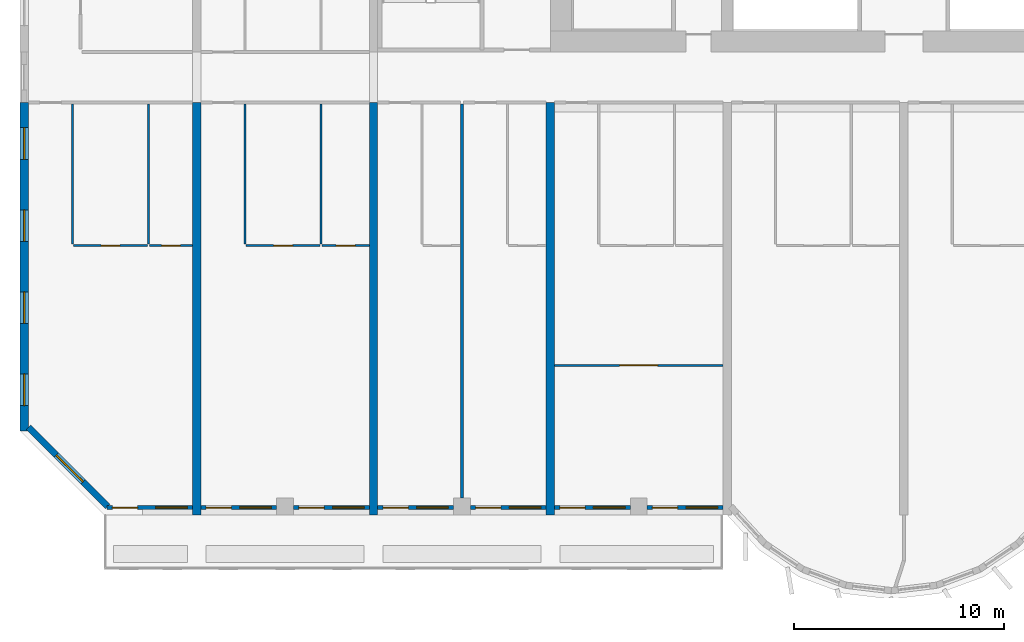
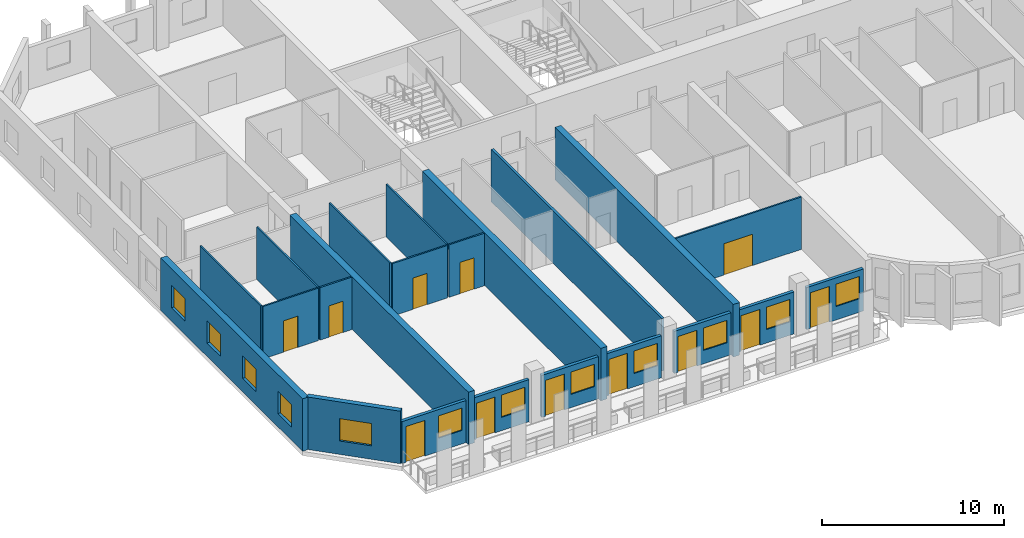
# One storey, part 2 of 15: 22 walls, 12 doors, 12 windows, 24 openings.
"""IFC4 building model written with IfcOpenShell, lengths in metres."""

import ifcopenshell
import ifcopenshell.guid

model = None  # the IFC model being written
_history = None  # IfcOwnerHistory: only IFC2X3 demands one
_inside = {}  # id of a spatial element -> (the spatial element, [elements in it])
_under = {}  # id of a project, library or spatial element -> (it, [spatial elements below it])
_declared = {}  # id of a project -> (the project, [libraries it declares])
_typed = {}  # id of a type object -> (the type object, [elements of that type])
_made_of = {}  # id of a material, layer set ... -> (it, [elements and type objects made of it])


def new_model(schema):
    """Start an empty IFC model of exactly this schema.

    Asked for "IFC4X3", IfcOpenShell would pick the latest addendum, in which some entities
    have other attributes; the version numbers below select the first issue.
    IFC2X3 requires an IfcOwnerHistory on every rooted entity: one is made here for all.
    """
    global model, _history
    if schema == "IFC4X3":
        model = ifcopenshell.file(schema_version=(4, 3, 0, 0))
    else:
        model = ifcopenshell.file(schema=schema)
    _inside.clear()
    _under.clear()
    _declared.clear()
    _typed.clear()
    _made_of.clear()
    _history = None
    if model.schema == "IFC2X3":
        org = make("IfcOrganization", Name="unknown")
        user = make(
            "IfcPersonAndOrganization",
            ThePerson=make("IfcPerson", FamilyName="unknown"),
            TheOrganization=org,
        )
        app = make(
            "IfcApplication",
            ApplicationDeveloper=org,
            Version="unknown",
            ApplicationFullName="unknown",
            ApplicationIdentifier="unknown",
        )
        _history = make(
            "IfcOwnerHistory",
            OwningUser=user,
            OwningApplication=app,
            ChangeAction="ADDED",
            CreationDate=0,
        )
    return model


def make(cls, **values):
    """One entity of the class cls with the attributes given. An attribute that is None is left unset."""
    return model.create_entity(
        cls, **{name: value for name, value in values.items() if value is not None}
    )


def rooted(cls, **values):
    """An entity with a GlobalId (a new one), such as an element, a storey or a relation."""
    return make(cls, GlobalId=ifcopenshell.guid.new(), OwnerHistory=_history, **values)


def si_unit(unit_type, name, prefix=None):
    """IfcSIUnit, for example si_unit("LENGTHUNIT", "METRE", prefix="MILLI")."""
    return make("IfcSIUnit", UnitType=unit_type, Prefix=prefix, Name=name)


def assignment(units):
    """IfcUnitAssignment: the units of a project."""
    return None if units is None else make("IfcUnitAssignment", Units=units)


def point(xyz):
    """IfcCartesianPoint."""
    return None if xyz is None else make("IfcCartesianPoint", Coordinates=xyz)


def direction(xyz):
    """IfcDirection."""
    return None if xyz is None else make("IfcDirection", DirectionRatios=xyz)


def frame(location, z_axis=None, x_axis=None):
    """IfcAxis2Placement3D, a coordinate frame: its origin and axes. An axis left out is left unset."""
    return make(
        "IfcAxis2Placement3D",
        Location=point(location),
        Axis=direction(z_axis),
        RefDirection=direction(x_axis),
    )


def frame_2d(location, x_axis=None):
    """IfcAxis2Placement2D, a coordinate frame in the plane: its origin and x axis."""
    return make(
        "IfcAxis2Placement2D", Location=point(location), RefDirection=direction(x_axis)
    )


def origin():
    """The frame at (0, 0, 0) with its axes left unset."""
    return frame((0.0, 0.0, 0.0))


def place(relative_to, where):
    """IfcLocalPlacement: puts the frame where relative to a parent placement (None: the world)."""
    return make(
        "IfcLocalPlacement", PlacementRelTo=relative_to, RelativePlacement=where
    )


def context(
    kind, dimensions, precision=None, world=None, true_north=None, identifier=None
):
    """IfcGeometricRepresentationContext, for example the 3D "Model" context."""
    return make(
        "IfcGeometricRepresentationContext",
        ContextIdentifier=identifier,
        ContextType=kind,
        CoordinateSpaceDimension=dimensions,
        Precision=precision,
        WorldCoordinateSystem=world,
        TrueNorth=true_north,
    )


def subcontext(parent, identifier, kind, view, scale=None):
    """IfcGeometricRepresentationSubContext, for example "Body" below "Model"."""
    return make(
        "IfcGeometricRepresentationSubContext",
        ContextIdentifier=identifier,
        ContextType=kind,
        ParentContext=parent,
        TargetScale=scale,
        TargetView=view,
    )


def project(units=None, contexts=None):
    """IfcProject with its units and contexts."""
    return rooted(
        "IfcProject",
        Name="project",
        RepresentationContexts=contexts,
        UnitsInContext=assignment(units),
    )


def spatial(cls, under=None, at=None, **own):
    """A site, building, storey or space (cls), placed at a placement, below another one or the project."""
    s = rooted(cls, ObjectPlacement=at, **own)
    if under is not None:
        _under.setdefault(under.id(), (under, []))[1].append(s)
    return s


def profile(cls, at=None, kind="AREA", **sizes):
    """A parametric profile (cls). Its sizes go by their IFC names, for example OverallWidth=200.0."""
    return make(cls, ProfileType=kind, Position=at, **sizes)


def rectangle(**sizes):
    """IfcRectangleProfileDef."""
    return profile("IfcRectangleProfileDef", **sizes)


def extrude(swept, where, along, depth):
    """IfcExtrudedAreaSolid: the profile swept, set in the frame where, extruded along a direction by depth."""
    return make(
        "IfcExtrudedAreaSolid",
        SweptArea=swept,
        Position=where,
        ExtrudedDirection=direction(along),
        Depth=depth,
    )


def shape(context_of_items, identifier, shape_type, items):
    """IfcShapeRepresentation: the items that make up one representation, for example the "Body"."""
    return make(
        "IfcShapeRepresentation",
        ContextOfItems=context_of_items,
        RepresentationIdentifier=identifier,
        RepresentationType=shape_type,
        Items=items,
    )


def source(mapping_origin, context_of_items, identifier, shape_type, items):
    """IfcRepresentationMap: a shape defined once, which mapped items show again and again."""
    return make(
        "IfcRepresentationMap",
        MappingOrigin=mapping_origin,
        MappedRepresentation=shape(context_of_items, identifier, shape_type, items),
    )


def transform(
    local_origin,
    x_axis=None,
    y_axis=None,
    z_axis=None,
    scale=None,
    scale2=None,
    scale3=None,
    uniform=True,
):
    """IfcCartesianTransformationOperator3D, or its non-uniform kind. x_axis, y_axis, z_axis: its Axis1, 2, 3."""
    if uniform:
        return make(
            "IfcCartesianTransformationOperator3D",
            Axis1=direction(x_axis),
            Axis2=direction(y_axis),
            LocalOrigin=point(local_origin),
            Scale=scale,
            Axis3=direction(z_axis),
        )
    return make(
        "IfcCartesianTransformationOperator3DnonUniform",
        Axis1=direction(x_axis),
        Axis2=direction(y_axis),
        LocalOrigin=point(local_origin),
        Scale=scale,
        Axis3=direction(z_axis),
        Scale2=scale2,
        Scale3=scale3,
    )


def mapped(mapping_source, mapping_target):
    """IfcMappedItem: shows the shape of a source again, moved by a transform."""
    return make(
        "IfcMappedItem", MappingSource=mapping_source, MappingTarget=mapping_target
    )


def material(Name=None, Category=None):
    """IfcMaterial."""
    return make("IfcMaterial", Name=Name, Category=Category)


def layer(
    of_material, thickness, ventilated=None, Name=None, Category=None, Priority=None
):
    """IfcMaterialLayer: one layer of a wall or slab, of a material (None: an air gap)."""
    return make(
        "IfcMaterialLayer",
        Material=of_material,
        LayerThickness=thickness,
        IsVentilated=ventilated,
        Name=Name,
        Category=Category,
        Priority=Priority,
    )


def layer_set(layers, Name=None):
    """IfcMaterialLayerSet."""
    return make("IfcMaterialLayerSet", MaterialLayers=layers, LayerSetName=Name)


def made_of(thing, what):
    """Note that an element or type object is made of a material, layer set ...; save() writes the relation."""
    if what is not None:
        _made_of.setdefault(what.id(), (what, []))[1].append(thing)
    return thing


def type_object(cls, material=None, **own):
    """A type object (cls), such as IfcWallType, which elements share."""
    return made_of(rooted(cls, **own), material)


def element(
    cls,
    number,
    at=None,
    inside=None,
    cuts=None,
    type_object=None,
    material=None,
    context=None,
    identifier="Body",
    shape_type=None,
    held_by="IfcProductDefinitionShape",
    body=None,
    shapes=None,
    **own,
):
    """One element of the class cls, such as IfcWall. Its Tag is "e" and its number.

    at: its placement. inside: the storey or other place that contains it. cuts: it is an
    opening in that element (IfcRelVoidsElement). A single representation is given by context,
    identifier, shape_type and body (its items); several are given by shapes. held_by: the class
    of the entity that holds the representations. save() writes the other relations.
    """
    e = rooted(cls, Tag="e%d" % number, ObjectPlacement=at, **own)
    if body is not None:
        shapes = [shape(context, identifier, shape_type, body)]
    if shapes is not None:
        e.Representation = make(held_by, Representations=shapes)
    if inside is not None:
        _inside.setdefault(inside.id(), (inside, []))[1].append(e)
    if cuts is not None:
        rooted(
            "IfcRelVoidsElement", RelatingBuildingElement=cuts, RelatedOpeningElement=e
        )
    if type_object is not None:
        _typed.setdefault(type_object.id(), (type_object, []))[1].append(e)
    return made_of(e, material)


def fill(opening, filler):
    """IfcRelFillsElement: the door or window that sits in an opening."""
    return rooted(
        "IfcRelFillsElement",
        RelatingOpeningElement=opening,
        RelatedBuildingElement=filler,
    )


def aggregate(whole, parts):
    """IfcRelAggregates: a whole, such as a stair, and the parts it consists of."""
    return rooted("IfcRelAggregates", RelatingObject=whole, RelatedObjects=parts)


def save(model, path):
    """Write the relations noted so far, then the file.

    IfcRelAggregates (storeys below a building ...), IfcRelContainedInSpatialStructure (elements
    in a storey), IfcRelDefinesByType, IfcRelAssociatesMaterial and IfcRelDeclares: one each for
    every whole, place, type object, material and project.
    """
    for whole, parts in _under.values():
        aggregate(whole, parts)
    for where, things in _inside.values():
        rooted(
            "IfcRelContainedInSpatialStructure",
            RelatedElements=things,
            RelatingStructure=where,
        )
    for kind, things in _typed.values():
        rooted("IfcRelDefinesByType", RelatedObjects=things, RelatingType=kind)
    for what, things in _made_of.values():
        rooted("IfcRelAssociatesMaterial", RelatedObjects=things, RelatingMaterial=what)
    for by, libraries in _declared.values():
        rooted("IfcRelDeclares", RelatingContext=by, RelatedDefinitions=libraries)
    model.write(path)


model = new_model("IFC4")

# Units and contexts
model_context = context("Model", 3, precision=1e-05, world=origin(), true_north=direction((0.0, 1.0)))
body_context = subcontext(model_context, "Body", "Model", "MODEL_VIEW")
ifc_project = project(units=[si_unit("LENGTHUNIT", "METRE"), si_unit("AREAUNIT", "SQUARE_METRE"), si_unit("VOLUMEUNIT", "CUBIC_METRE"), si_unit("PLANEANGLEUNIT", "RADIAN"), si_unit("MASSUNIT", "GRAM", prefix="KILO")], contexts=[model_context])

# Site, building, storey
site_placement = place(None, origin())
site = spatial("IfcSite", under=ifc_project, at=site_placement, CompositionType="ELEMENT")
building_placement = place(site_placement, origin())
building = spatial("IfcBuilding", under=site, at=building_placement, Name="Vanashikhar Sky Hotel", CompositionType="ELEMENT")
storey_placement = place(building_placement, frame((0.0, 0.0, 69.60009765625)))
storey = spatial("IfcBuildingStorey", under=building, at=storey_placement, Name="L16", CompositionType="ELEMENT", Elevation=69.60009765625)

# Wall, openings, windows
ifc_material_1 = material(Name="Concrete M80", Category="concrete")
ifc_layer_1 = layer(ifc_material_1, 0.39990234375)
ifc_layer_set_1 = layer_set([ifc_layer_1], Name="RC shear wall 400 Concrete M80")
wall_type_1 = type_object("IfcWallType", Name="RC shear wall 400 Concrete M80", PredefinedType="SHEAR", material=ifc_layer_set_1)
shared_shape_1 = source(origin(), body_context, "Body", "SweptSolid", [
    extrude(rectangle(XDim=15.60009765625, YDim=0.39990234375, at=frame_2d((7.800048828125, 0.0))), origin(), (0.0, 0.0, 1.0), 3.52001953125),
])
wall_1_placement = place(storey_placement, frame((0.199951171875, 4.0, 0.0), z_axis=(0.0, 0.0, 1.0), x_axis=(0.0, 1.0, 0.0)))
wall_1 = element("IfcWall", 1, at=wall_1_placement, inside=storey, type_object=wall_type_1, Name="CW-L16-XW01-1", PredefinedType="SHEAR", context=body_context, shape_type="MappedRepresentation", body=[
    mapped(shared_shape_1, transform((0.0, 0.0, 0.0), scale=1.0)),
])
shared_shape_2 = source(origin(), body_context, "Body", "SweptSolid", [
    extrude(rectangle(XDim=1.5, YDim=1.5, at=frame_2d((0.75, 0.75))), frame((0.0, 0.2099609375, 0.0), z_axis=(0.0, -1.0, 0.0), x_axis=(1.0, 0.0, 0.0)), (0.0, 0.0, 1.0), 0.419921875),
])
opening_1_placement = place(wall_1_placement, frame((1.199951171875, 0.0, 0.89990234375)))
opening_1 = element("IfcOpeningElement", 2, at=opening_1_placement, cuts=wall_1, Name="Opening WN-1", PredefinedType="OPENING", context=body_context, shape_type="MappedRepresentation", body=[
    mapped(shared_shape_2, transform((0.0, 0.0, 0.0), scale=1.0)),
])
opening_2_placement = place(wall_1_placement, frame((5.10009765625, 0.0, 0.89990234375)))
opening_2 = element("IfcOpeningElement", 3, at=opening_2_placement, cuts=wall_1, Name="Opening WN-1", PredefinedType="OPENING", context=body_context, shape_type="MappedRepresentation", body=[
    mapped(shared_shape_2, transform((0.0, 0.0, 0.0), scale=1.0)),
])
opening_3_placement = place(wall_1_placement, frame((9.0, 0.0, 0.89990234375)))
opening_3 = element("IfcOpeningElement", 4, at=opening_3_placement, cuts=wall_1, Name="Opening WN-1", PredefinedType="OPENING", context=body_context, shape_type="MappedRepresentation", body=[
    mapped(shared_shape_2, transform((0.0, 0.0, 0.0), scale=1.0)),
])
opening_4_placement = place(wall_1_placement, frame((12.89990234375, 0.0, 0.89990234375)))
opening_4 = element("IfcOpeningElement", 5, at=opening_4_placement, cuts=wall_1, Name="Opening WN-1", PredefinedType="OPENING", context=body_context, shape_type="MappedRepresentation", body=[
    mapped(shared_shape_2, transform((0.0, 0.0, 0.0), scale=1.0)),
])
ifc_material_2 = material(Name="Glass", Category="glass")
window_type_1 = type_object("IfcWindowType", Name="Window 1500 x 1500", PartitioningType="SINGLE_PANEL", PredefinedType="WINDOW", material=ifc_material_2)
shared_shape_3 = source(origin(), body_context, "Body", "SweptSolid", [
    extrude(rectangle(XDim=1.5, YDim=1.5, at=frame_2d((0.75, 0.75))), frame((0.0, 0.030029296875, 0.0), z_axis=(0.0, -1.0, 0.0), x_axis=(1.0, 0.0, 0.0)), (0.0, 0.0, 1.0), 0.06005859375),
])
window_1_placement = place(opening_1_placement, origin())
window_1 = element("IfcWindow", 6, at=window_1_placement, inside=storey, type_object=window_type_1, Name="Window WN-1", OverallHeight=1.5, OverallWidth=1.5, PartitioningType="SINGLE_PANEL", PredefinedType="WINDOW", context=body_context, shape_type="MappedRepresentation", body=[
    mapped(shared_shape_3, transform((0.0, 0.0, 0.0), scale=1.0)),
])
fill(opening_1, window_1)
window_2_placement = place(opening_2_placement, origin())
window_2 = element("IfcWindow", 7, at=window_2_placement, inside=storey, type_object=window_type_1, Name="Window WN-1", OverallHeight=1.5, OverallWidth=1.5, PartitioningType="SINGLE_PANEL", PredefinedType="WINDOW", context=body_context, shape_type="MappedRepresentation", body=[
    mapped(shared_shape_3, transform((0.0, 0.0, 0.0), scale=1.0)),
])
fill(opening_2, window_2)
window_3_placement = place(opening_3_placement, origin())
window_3 = element("IfcWindow", 8, at=window_3_placement, inside=storey, type_object=window_type_1, Name="Window WN-1", OverallHeight=1.5, OverallWidth=1.5, PartitioningType="SINGLE_PANEL", PredefinedType="WINDOW", context=body_context, shape_type="MappedRepresentation", body=[
    mapped(shared_shape_3, transform((0.0, 0.0, 0.0), scale=1.0)),
])
fill(opening_3, window_3)
window_4_placement = place(opening_4_placement, origin())
window_4 = element("IfcWindow", 9, at=window_4_placement, inside=storey, type_object=window_type_1, Name="Window WN-1", OverallHeight=1.5, OverallWidth=1.5, PartitioningType="SINGLE_PANEL", PredefinedType="WINDOW", context=body_context, shape_type="MappedRepresentation", body=[
    mapped(shared_shape_3, transform((0.0, 0.0, 0.0), scale=1.0)),
])
fill(opening_4, window_4)

# Walls
shared_shape_4 = source(origin(), body_context, "Body", "SweptSolid", [
    extrude(rectangle(XDim=19.60009765625, YDim=0.39990234375, at=frame_2d((9.800048828125, 0.0))), origin(), (0.0, 0.0, 1.0), 3.52001953125),
])
for number, where, z_axis, x_axis, name in (
    (10, (8.39990234375, 0.0, 0.0), (0.0, 0.0, 1.0), (0.0, 1.0, 0.0), "CW-L16-XW02-1"),
    (11, (16.800048828125, 0.0, 0.0), (0.0, 0.0, 1.0), (0.0, 1.0, 0.0), "CW-L16-XW03-1"),
    (12, (25.199951171875, 0.0, 0.0), (0.0, 0.0, 1.0), (0.0, 1.0, 0.0), "CW-L16-XW04-1"),
):
    element("IfcWall", number, at=place(storey_placement, frame(where, z_axis=z_axis, x_axis=x_axis)), inside=storey, type_object=wall_type_1, Name=name, PredefinedType="SHEAR", context=body_context, shape_type="MappedRepresentation", body=[
        mapped(shared_shape_4, transform((0.0, 0.0, 0.0), scale=1.0)),
    ])

# Wall, opening, window
ifc_material_3 = material(Name="Concrete M50", Category="concrete")
ifc_layer_2 = layer(ifc_material_3, 0.300048828125)
ifc_layer_set_2 = layer_set([ifc_layer_2], Name="Lobe wall 300")
wall_type_2 = type_object("IfcWallType", Name="Lobe wall 300", PredefinedType="SOLIDWALL", material=ifc_layer_set_2)
shared_shape_5 = source(origin(), body_context, "Body", "SweptSolid", [
    extrude(rectangle(XDim=5.32568359375, YDim=0.300048828125, at=frame_2d((2.662841796875, 0.0))), origin(), (0.0, 0.0, 1.0), 3.52001953125),
])
wall_2_placement = place(storey_placement, frame((0.39990234375, 4.165771484375, 0.0), z_axis=(0.0, 0.0, 1.0), x_axis=(0.707106781187, -0.707106781187, 0.0)))
wall_2 = element("IfcWall", 13, at=wall_2_placement, inside=storey, type_object=wall_type_2, Name="Corner wall", PredefinedType="SOLIDWALL", context=body_context, shape_type="MappedRepresentation", body=[
    mapped(shared_shape_5, transform((0.0, 0.0, 0.0), scale=1.0)),
])
shared_shape_6 = source(origin(), body_context, "Body", "SweptSolid", [
    extrude(rectangle(XDim=1.800048828125, YDim=1.5, at=frame_2d((0.89990234375, 0.75))), frame((0.0, 0.16015625, 0.0), z_axis=(0.0, -1.0, 0.0), x_axis=(1.0, 0.0, 0.0)), (0.0, 0.0, 1.0), 0.320068359375),
])
opening_5_placement = place(wall_2_placement, frame((1.871337890625, 0.0, 0.89990234375)))
opening_5 = element("IfcOpeningElement", 14, at=opening_5_placement, cuts=wall_2, Name="Opening WN-4", PredefinedType="OPENING", context=body_context, shape_type="MappedRepresentation", body=[
    mapped(shared_shape_6, transform((0.0, 0.0, 0.0), scale=1.0)),
])
window_type_2 = type_object("IfcWindowType", Name="Corner window 1800 x 1500", PartitioningType="SINGLE_PANEL", PredefinedType="WINDOW", material=ifc_material_2)
shared_shape_7 = source(origin(), body_context, "Body", "SweptSolid", [
    extrude(rectangle(XDim=1.800048828125, YDim=1.5, at=frame_2d((0.89990234375, 0.75))), frame((0.0, 0.030029296875, 0.0), z_axis=(0.0, -1.0, 0.0), x_axis=(1.0, 0.0, 0.0)), (0.0, 0.0, 1.0), 0.06005859375),
])
window_5_placement = place(opening_5_placement, origin())
window_5 = element("IfcWindow", 15, at=window_5_placement, inside=storey, type_object=window_type_2, Name="Window WN-4", OverallHeight=1.5, OverallWidth=1.800048828125, PartitioningType="SINGLE_PANEL", PredefinedType="WINDOW", context=body_context, shape_type="MappedRepresentation", body=[
    mapped(shared_shape_7, transform((0.0, 0.0, 0.0), scale=1.0)),
])
fill(opening_5, window_5)

# Wall, openings, window, door
ifc_layer_3 = layer(ifc_material_3, 0.199951171875)
ifc_layer_set_3 = layer_set([ifc_layer_3], Name="Front window wall 200")
wall_type_3 = type_object("IfcWallType", Name="Front window wall 200", PredefinedType="SOLIDWALL", material=ifc_layer_set_3)
shared_shape_8 = source(origin(), body_context, "Body", "SweptSolid", [
    extrude(rectangle(XDim=4.054931640625, YDim=0.199951171875, at=frame_2d((2.02734375, 0.0))), origin(), (0.0, 0.0, 1.0), 2.81982421875),
])
wall_3_placement = place(storey_placement, frame((4.14501953125, 0.35009765625, 0.0), z_axis=(0.0, 0.0, 1.0), x_axis=(1.0, 0.0, 0.0)))
wall_3 = element("IfcWall", 16, at=wall_3_placement, inside=storey, type_object=wall_type_3, Name="Front window wall", PredefinedType="SOLIDWALL", context=body_context, shape_type="MappedRepresentation", body=[
    mapped(shared_shape_8, transform((0.0, 0.0, 0.0), scale=1.0)),
])
shared_shape_9 = source(origin(), body_context, "Body", "SweptSolid", [
    extrude(rectangle(XDim=1.199951171875, YDim=2.39990234375, at=frame_2d((0.60009765625, 1.199951171875))), frame((0.0, 0.10986328125, 0.0), z_axis=(0.0, -1.0, 0.0), x_axis=(1.0, 0.0, 0.0)), (0.0, 0.0, 1.0), 0.219970703125),
])
opening_6_placement = place(wall_3_placement, frame((0.25, 0.0, 0.0)))
opening_6 = element("IfcOpeningElement", 17, at=opening_6_placement, cuts=wall_3, Name="Opening BD-01", PredefinedType="OPENING", context=body_context, shape_type="MappedRepresentation", body=[
    mapped(shared_shape_9, transform((0.0, 0.0, 0.0), scale=1.0)),
])
shared_shape_10 = source(origin(), body_context, "Body", "SweptSolid", [
    extrude(rectangle(XDim=1.5, YDim=1.5, at=frame_2d((0.75, 0.75))), frame((0.0, 0.10986328125, 0.0), z_axis=(0.0, -1.0, 0.0), x_axis=(1.0, 0.0, 0.0)), (0.0, 0.0, 1.0), 0.219970703125),
])
opening_7_placement = place(wall_3_placement, frame((2.304931640625, 0.0, 0.89990234375)))
opening_7 = element("IfcOpeningElement", 18, at=opening_7_placement, cuts=wall_3, Name="Opening WN-1", PredefinedType="OPENING", context=body_context, shape_type="MappedRepresentation", body=[
    mapped(shared_shape_10, transform((0.0, 0.0, 0.0), scale=1.0)),
])
window_6_placement = place(opening_7_placement, origin())
window_6 = element("IfcWindow", 19, at=window_6_placement, inside=storey, type_object=window_type_1, Name="Window WN-1", OverallHeight=1.5, OverallWidth=1.5, PartitioningType="SINGLE_PANEL", PredefinedType="WINDOW", context=body_context, shape_type="MappedRepresentation", body=[
    mapped(shared_shape_3, transform((0.0, 0.0, 0.0), scale=1.0)),
])
fill(opening_7, window_6)
ifc_material_4 = material(Name="Aluminium", Category="aluminium")
door_type_1 = type_object("IfcDoorType", Name="Balcony sliding door 1200 x 2400", OperationType="NOTDEFINED", PredefinedType="DOOR", material=ifc_material_4)
shared_shape_11 = source(origin(), body_context, "Body", "SweptSolid", [
    extrude(rectangle(XDim=1.199951171875, YDim=2.39990234375, at=frame_2d((0.60009765625, 1.199951171875))), frame((0.0, 0.02490234375, 0.0), z_axis=(0.0, -1.0, 0.0), x_axis=(1.0, 0.0, 0.0)), (0.0, 0.0, 1.0), 0.050048828125),
])
door_1_placement = place(opening_6_placement, origin())
door_1 = element("IfcDoor", 20, at=door_1_placement, inside=storey, type_object=door_type_1, Name="Balcony sliding door", OperationType="SLIDING_TO_LEFT", OverallHeight=2.39990234375, OverallWidth=1.199951171875, PredefinedType="DOOR", context=body_context, shape_type="MappedRepresentation", body=[
    mapped(shared_shape_11, transform((0.0, 0.0, 0.0), scale=1.0)),
])
fill(opening_6, door_1)

shared_shape_12 = source(origin(), body_context, "Body", "SweptSolid", [
    extrude(rectangle(XDim=3.599853515625, YDim=0.199951171875, at=frame_2d((1.7998046875, 0.0))), origin(), (0.0, 0.0, 1.0), 2.81982421875),
])
wall_4_placement = place(storey_placement, frame((8.60009765625, 0.35009765625, 0.0), z_axis=(0.0, 0.0, 1.0), x_axis=(1.0, 0.0, 0.0)))
wall_4 = element("IfcWall", 21, at=wall_4_placement, inside=storey, type_object=wall_type_3, Name="Front window wall", PredefinedType="SOLIDWALL", context=body_context, shape_type="MappedRepresentation", body=[
    mapped(shared_shape_12, transform((0.0, 0.0, 0.0), scale=1.0)),
])
opening_8_placement = place(wall_4_placement, frame((0.25, 0.0, 0.0)))
opening_8 = element("IfcOpeningElement", 22, at=opening_8_placement, cuts=wall_4, Name="Opening BD-02", PredefinedType="OPENING", context=body_context, shape_type="MappedRepresentation", body=[
    mapped(shared_shape_9, transform((0.0, 0.0, 0.0), scale=1.0)),
])
opening_9_placement = place(wall_4_placement, frame((1.85009765625, 0.0, 0.89990234375)))
opening_9 = element("IfcOpeningElement", 23, at=opening_9_placement, cuts=wall_4, Name="Opening WN-1", PredefinedType="OPENING", context=body_context, shape_type="MappedRepresentation", body=[
    mapped(shared_shape_10, transform((0.0, 0.0, 0.0), scale=1.0)),
])
window_7_placement = place(opening_9_placement, origin())
window_7 = element("IfcWindow", 24, at=window_7_placement, inside=storey, type_object=window_type_1, Name="Window WN-1", OverallHeight=1.5, OverallWidth=1.5, PartitioningType="SINGLE_PANEL", PredefinedType="WINDOW", context=body_context, shape_type="MappedRepresentation", body=[
    mapped(shared_shape_3, transform((0.0, 0.0, 0.0), scale=1.0)),
])
fill(opening_9, window_7)
door_2_placement = place(opening_8_placement, origin())
door_2 = element("IfcDoor", 25, at=door_2_placement, inside=storey, type_object=door_type_1, Name="Balcony sliding door", OperationType="SLIDING_TO_RIGHT", OverallHeight=2.39990234375, OverallWidth=1.199951171875, PredefinedType="DOOR", context=body_context, shape_type="MappedRepresentation", body=[
    mapped(shared_shape_11, transform((0.0, 0.0, 0.0), scale=1.0)),
])
fill(opening_8, door_2)

wall_5_placement = place(storey_placement, frame((29.800048828125, 0.35009765625, 0.0), z_axis=(0.0, 0.0, 1.0), x_axis=(1.0, 0.0, 0.0)))
wall_5 = element("IfcWall", 26, at=wall_5_placement, inside=storey, type_object=wall_type_3, Name="Front window wall", PredefinedType="SOLIDWALL", context=body_context, shape_type="MappedRepresentation", body=[
    mapped(shared_shape_12, transform((0.0, 0.0, 0.0), scale=1.0)),
])
opening_10_placement = place(wall_5_placement, frame((0.25, 0.0, 0.0)))
opening_10 = element("IfcOpeningElement", 27, at=opening_10_placement, cuts=wall_5, Name="Opening BD-07", PredefinedType="OPENING", context=body_context, shape_type="MappedRepresentation", body=[
    mapped(shared_shape_9, transform((0.0, 0.0, 0.0), scale=1.0)),
])
opening_11_placement = place(wall_5_placement, frame((1.85009765625, 0.0, 0.89990234375)))
opening_11 = element("IfcOpeningElement", 28, at=opening_11_placement, cuts=wall_5, Name="Opening WN-1", PredefinedType="OPENING", context=body_context, shape_type="MappedRepresentation", body=[
    mapped(shared_shape_10, transform((0.0, 0.0, 0.0), scale=1.0)),
])
window_8_placement = place(opening_11_placement, origin())
window_8 = element("IfcWindow", 29, at=window_8_placement, inside=storey, type_object=window_type_1, Name="Window WN-1", OverallHeight=1.5, OverallWidth=1.5, PartitioningType="SINGLE_PANEL", PredefinedType="WINDOW", context=body_context, shape_type="MappedRepresentation", body=[
    mapped(shared_shape_3, transform((0.0, 0.0, 0.0), scale=1.0)),
])
fill(opening_11, window_8)
door_3_placement = place(opening_10_placement, origin())
door_3 = element("IfcDoor", 30, at=door_3_placement, inside=storey, type_object=door_type_1, Name="Balcony sliding door", OperationType="SLIDING_TO_LEFT", OverallHeight=2.39990234375, OverallWidth=1.199951171875, PredefinedType="DOOR", context=body_context, shape_type="MappedRepresentation", body=[
    mapped(shared_shape_11, transform((0.0, 0.0, 0.0), scale=1.0)),
])
fill(opening_10, door_3)

shared_shape_13 = source(origin(), body_context, "Body", "SweptSolid", [
    extrude(rectangle(XDim=3.60009765625, YDim=0.199951171875, at=frame_2d((1.800048828125, 0.0))), origin(), (0.0, 0.0, 1.0), 2.81982421875),
])
wall_6_placement = place(storey_placement, frame((13.0, 0.35009765625, 0.0), z_axis=(0.0, 0.0, 1.0), x_axis=(1.0, 0.0, 0.0)))
wall_6 = element("IfcWall", 31, at=wall_6_placement, inside=storey, type_object=wall_type_3, Name="Front window wall", PredefinedType="SOLIDWALL", context=body_context, shape_type="MappedRepresentation", body=[
    mapped(shared_shape_13, transform((0.0, 0.0, 0.0), scale=1.0)),
])
opening_12_placement = place(wall_6_placement, frame((0.25, 0.0, 0.0)))
opening_12 = element("IfcOpeningElement", 32, at=opening_12_placement, cuts=wall_6, Name="Opening BD-03", PredefinedType="OPENING", context=body_context, shape_type="MappedRepresentation", body=[
    mapped(shared_shape_9, transform((0.0, 0.0, 0.0), scale=1.0)),
])
opening_13_placement = place(wall_6_placement, frame((1.85009765625, 0.0, 0.89990234375)))
opening_13 = element("IfcOpeningElement", 33, at=opening_13_placement, cuts=wall_6, Name="Opening WN-1", PredefinedType="OPENING", context=body_context, shape_type="MappedRepresentation", body=[
    mapped(shared_shape_10, transform((0.0, 0.0, 0.0), scale=1.0)),
])
window_9_placement = place(opening_13_placement, origin())
window_9 = element("IfcWindow", 34, at=window_9_placement, inside=storey, type_object=window_type_1, Name="Window WN-1", OverallHeight=1.5, OverallWidth=1.5, PartitioningType="SINGLE_PANEL", PredefinedType="WINDOW", context=body_context, shape_type="MappedRepresentation", body=[
    mapped(shared_shape_3, transform((0.0, 0.0, 0.0), scale=1.0)),
])
fill(opening_13, window_9)
door_4_placement = place(opening_12_placement, origin())
door_4 = element("IfcDoor", 35, at=door_4_placement, inside=storey, type_object=door_type_1, Name="Balcony sliding door", OperationType="SLIDING_TO_LEFT", OverallHeight=2.39990234375, OverallWidth=1.199951171875, PredefinedType="DOOR", context=body_context, shape_type="MappedRepresentation", body=[
    mapped(shared_shape_11, transform((0.0, 0.0, 0.0), scale=1.0)),
])
fill(opening_12, door_4)

wall_7_placement = place(storey_placement, frame((17.0, 0.35009765625, 0.0), z_axis=(0.0, 0.0, 1.0), x_axis=(1.0, 0.0, 0.0)))
wall_7 = element("IfcWall", 36, at=wall_7_placement, inside=storey, type_object=wall_type_3, Name="Front window wall", PredefinedType="SOLIDWALL", context=body_context, shape_type="MappedRepresentation", body=[
    mapped(shared_shape_13, transform((0.0, 0.0, 0.0), scale=1.0)),
])
opening_14_placement = place(wall_7_placement, frame((0.25, 0.0, 0.0)))
opening_14 = element("IfcOpeningElement", 37, at=opening_14_placement, cuts=wall_7, Name="Opening BD-04", PredefinedType="OPENING", context=body_context, shape_type="MappedRepresentation", body=[
    mapped(shared_shape_9, transform((0.0, 0.0, 0.0), scale=1.0)),
])
opening_15_placement = place(wall_7_placement, frame((1.85009765625, 0.0, 0.89990234375)))
opening_15 = element("IfcOpeningElement", 38, at=opening_15_placement, cuts=wall_7, Name="Opening WN-1", PredefinedType="OPENING", context=body_context, shape_type="MappedRepresentation", body=[
    mapped(shared_shape_10, transform((0.0, 0.0, 0.0), scale=1.0)),
])
window_10_placement = place(opening_15_placement, origin())
window_10 = element("IfcWindow", 39, at=window_10_placement, inside=storey, type_object=window_type_1, Name="Window WN-1", OverallHeight=1.5, OverallWidth=1.5, PartitioningType="SINGLE_PANEL", PredefinedType="WINDOW", context=body_context, shape_type="MappedRepresentation", body=[
    mapped(shared_shape_3, transform((0.0, 0.0, 0.0), scale=1.0)),
])
fill(opening_15, window_10)
door_5_placement = place(opening_14_placement, origin())
door_5 = element("IfcDoor", 40, at=door_5_placement, inside=storey, type_object=door_type_1, Name="Balcony sliding door", OperationType="SLIDING_TO_RIGHT", OverallHeight=2.39990234375, OverallWidth=1.199951171875, PredefinedType="DOOR", context=body_context, shape_type="MappedRepresentation", body=[
    mapped(shared_shape_11, transform((0.0, 0.0, 0.0), scale=1.0)),
])
fill(opening_14, door_5)

wall_8_placement = place(storey_placement, frame((21.39990234375, 0.35009765625, 0.0), z_axis=(0.0, 0.0, 1.0), x_axis=(1.0, 0.0, 0.0)))
wall_8 = element("IfcWall", 41, at=wall_8_placement, inside=storey, type_object=wall_type_3, Name="Front window wall", PredefinedType="SOLIDWALL", context=body_context, shape_type="MappedRepresentation", body=[
    mapped(shared_shape_13, transform((0.0, 0.0, 0.0), scale=1.0)),
])
opening_16_placement = place(wall_8_placement, frame((0.25, 0.0, 0.0)))
opening_16 = element("IfcOpeningElement", 42, at=opening_16_placement, cuts=wall_8, Name="Opening BD-05", PredefinedType="OPENING", context=body_context, shape_type="MappedRepresentation", body=[
    mapped(shared_shape_9, transform((0.0, 0.0, 0.0), scale=1.0)),
])
opening_17_placement = place(wall_8_placement, frame((1.85009765625, 0.0, 0.89990234375)))
opening_17 = element("IfcOpeningElement", 43, at=opening_17_placement, cuts=wall_8, Name="Opening WN-1", PredefinedType="OPENING", context=body_context, shape_type="MappedRepresentation", body=[
    mapped(shared_shape_10, transform((0.0, 0.0, 0.0), scale=1.0)),
])
window_11_placement = place(opening_17_placement, origin())
window_11 = element("IfcWindow", 44, at=window_11_placement, inside=storey, type_object=window_type_1, Name="Window WN-1", OverallHeight=1.5, OverallWidth=1.5, PartitioningType="SINGLE_PANEL", PredefinedType="WINDOW", context=body_context, shape_type="MappedRepresentation", body=[
    mapped(shared_shape_3, transform((0.0, 0.0, 0.0), scale=1.0)),
])
fill(opening_17, window_11)
door_6_placement = place(opening_16_placement, origin())
door_6 = element("IfcDoor", 45, at=door_6_placement, inside=storey, type_object=door_type_1, Name="Balcony sliding door", OperationType="SLIDING_TO_LEFT", OverallHeight=2.39990234375, OverallWidth=1.199951171875, PredefinedType="DOOR", context=body_context, shape_type="MappedRepresentation", body=[
    mapped(shared_shape_11, transform((0.0, 0.0, 0.0), scale=1.0)),
])
fill(opening_16, door_6)

wall_9_placement = place(storey_placement, frame((25.39990234375, 0.35009765625, 0.0), z_axis=(0.0, 0.0, 1.0), x_axis=(1.0, 0.0, 0.0)))
wall_9 = element("IfcWall", 46, at=wall_9_placement, inside=storey, type_object=wall_type_3, Name="Front window wall", PredefinedType="SOLIDWALL", context=body_context, shape_type="MappedRepresentation", body=[
    mapped(shared_shape_13, transform((0.0, 0.0, 0.0), scale=1.0)),
])
opening_18_placement = place(wall_9_placement, frame((0.25, 0.0, 0.0)))
opening_18 = element("IfcOpeningElement", 47, at=opening_18_placement, cuts=wall_9, Name="Opening BD-06", PredefinedType="OPENING", context=body_context, shape_type="MappedRepresentation", body=[
    mapped(shared_shape_9, transform((0.0, 0.0, 0.0), scale=1.0)),
])
opening_19_placement = place(wall_9_placement, frame((1.85009765625, 0.0, 0.89990234375)))
opening_19 = element("IfcOpeningElement", 48, at=opening_19_placement, cuts=wall_9, Name="Opening WN-1", PredefinedType="OPENING", context=body_context, shape_type="MappedRepresentation", body=[
    mapped(shared_shape_10, transform((0.0, 0.0, 0.0), scale=1.0)),
])
window_12_placement = place(opening_19_placement, origin())
window_12 = element("IfcWindow", 49, at=window_12_placement, inside=storey, type_object=window_type_1, Name="Window WN-1", OverallHeight=1.5, OverallWidth=1.5, PartitioningType="SINGLE_PANEL", PredefinedType="WINDOW", context=body_context, shape_type="MappedRepresentation", body=[
    mapped(shared_shape_3, transform((0.0, 0.0, 0.0), scale=1.0)),
])
fill(opening_19, window_12)
door_7_placement = place(opening_18_placement, origin())
door_7 = element("IfcDoor", 50, at=door_7_placement, inside=storey, type_object=door_type_1, Name="Balcony sliding door", OperationType="SLIDING_TO_RIGHT", OverallHeight=2.39990234375, OverallWidth=1.199951171875, PredefinedType="DOOR", context=body_context, shape_type="MappedRepresentation", body=[
    mapped(shared_shape_11, transform((0.0, 0.0, 0.0), scale=1.0)),
])
fill(opening_18, door_7)

# Wall, opening, door
ifc_material_5 = material(Name="Gypsum plasterboard partition")
ifc_layer_4 = layer(ifc_material_5, 0.10009765625)
ifc_layer_set_4 = layer_set([ifc_layer_4], Name="Wet room partition 100")
wall_type_4 = type_object("IfcWallType", Name="Wet room partition 100", PredefinedType="PARTITIONING", material=ifc_layer_set_4)
shared_shape_14 = source(origin(), body_context, "Body", "SweptSolid", [
    extrude(rectangle(XDim=2.050048828125, YDim=0.10009765625, at=frame_2d((1.02490234375, 0.0))), origin(), (0.0, 0.0, 1.0), 3.52001953125),
])
wall_10_placement = place(storey_placement, frame((6.14990234375, 12.800048828125, 0.0), z_axis=(0.0, 0.0, 1.0), x_axis=(1.0, 0.0, 0.0)))
wall_10 = element("IfcWall", 51, at=wall_10_placement, inside=storey, type_object=wall_type_4, Name="W-L16-PW004", PredefinedType="PARTITIONING", context=body_context, shape_type="MappedRepresentation", body=[
    mapped(shared_shape_14, transform((0.0, 0.0, 0.0), scale=1.0)),
])
shared_shape_15 = source(origin(), body_context, "Body", "SweptSolid", [
    extrude(rectangle(XDim=0.89990234375, YDim=2.10009765625, at=frame_2d((0.449951171875, 1.050048828125))), frame((0.0, 0.06005859375, 0.0), z_axis=(0.0, -1.0, 0.0), x_axis=(1.0, 0.0, 0.0)), (0.0, 0.0, 1.0), 0.1201171875),
])
opening_20_placement = place(wall_10_placement, frame((0.574951171875, 0.0, 0.0)))
opening_20 = element("IfcOpeningElement", 52, at=opening_20_placement, cuts=wall_10, Name="Opening D-02", PredefinedType="OPENING", context=body_context, shape_type="MappedRepresentation", body=[
    mapped(shared_shape_15, transform((0.0, 0.0, 0.0), scale=1.0)),
])
ifc_material_6 = material(Name="Timber door", Category="wood")
door_type_2 = type_object("IfcDoorType", Name="Internal door 900", OperationType="NOTDEFINED", PredefinedType="DOOR", material=ifc_material_6)
shared_shape_16 = source(origin(), body_context, "Body", "SweptSolid", [
    extrude(rectangle(XDim=0.89990234375, YDim=2.10009765625, at=frame_2d((0.449951171875, 1.050048828125))), frame((0.0, 0.02490234375, 0.0), z_axis=(0.0, -1.0, 0.0), x_axis=(1.0, 0.0, 0.0)), (0.0, 0.0, 1.0), 0.050048828125),
])
door_8_placement = place(opening_20_placement, origin())
door_8 = element("IfcDoor", 53, at=door_8_placement, inside=storey, type_object=door_type_2, Name="D-L16-002", OperationType="SINGLE_SWING_LEFT", OverallHeight=2.10009765625, OverallWidth=0.89990234375, PredefinedType="DOOR", context=body_context, shape_type="MappedRepresentation", body=[
    mapped(shared_shape_16, transform((0.0, 0.0, 0.0), scale=1.0)),
])
fill(opening_20, door_8)

shared_shape_17 = source(origin(), body_context, "Body", "SweptSolid", [
    extrude(rectangle(XDim=3.5, YDim=0.10009765625, at=frame_2d((1.75, 0.0))), origin(), (0.0, 0.0, 1.0), 3.52001953125),
])
wall_11_placement = place(storey_placement, frame((2.550048828125, 12.800048828125, 0.0), z_axis=(0.0, 0.0, 1.0), x_axis=(1.0, 0.0, 0.0)))
wall_11 = element("IfcWall", 54, at=wall_11_placement, inside=storey, type_object=wall_type_4, Name="W-L16-PW003", PredefinedType="PARTITIONING", context=body_context, shape_type="MappedRepresentation", body=[
    mapped(shared_shape_17, transform((0.0, 0.0, 0.0), scale=1.0)),
])
opening_21_placement = place(wall_11_placement, frame((1.300048828125, 0.0, 0.0)))
opening_21 = element("IfcOpeningElement", 55, at=opening_21_placement, cuts=wall_11, Name="Opening D-02", PredefinedType="OPENING", context=body_context, shape_type="MappedRepresentation", body=[
    mapped(shared_shape_15, transform((0.0, 0.0, 0.0), scale=1.0)),
])
door_9_placement = place(opening_21_placement, origin())
door_9 = element("IfcDoor", 56, at=door_9_placement, inside=storey, type_object=door_type_2, Name="D-L16-001", OperationType="SINGLE_SWING_LEFT", OverallHeight=2.10009765625, OverallWidth=0.89990234375, PredefinedType="DOOR", context=body_context, shape_type="MappedRepresentation", body=[
    mapped(shared_shape_16, transform((0.0, 0.0, 0.0), scale=1.0)),
])
fill(opening_21, door_9)

wall_12_placement = place(storey_placement, frame((10.75, 12.800048828125, 0.0), z_axis=(0.0, 0.0, 1.0), x_axis=(1.0, 0.0, 0.0)))
wall_12 = element("IfcWall", 57, at=wall_12_placement, inside=storey, type_object=wall_type_4, Name="W-L16-PW008", PredefinedType="PARTITIONING", context=body_context, shape_type="MappedRepresentation", body=[
    mapped(shared_shape_17, transform((0.0, 0.0, 0.0), scale=1.0)),
])
opening_22_placement = place(wall_12_placement, frame((1.300048828125, 0.0, 0.0)))
opening_22 = element("IfcOpeningElement", 58, at=opening_22_placement, cuts=wall_12, Name="Opening D-02", PredefinedType="OPENING", context=body_context, shape_type="MappedRepresentation", body=[
    mapped(shared_shape_15, transform((0.0, 0.0, 0.0), scale=1.0)),
])
door_10_placement = place(opening_22_placement, origin())
door_10 = element("IfcDoor", 59, at=door_10_placement, inside=storey, type_object=door_type_2, Name="D-L16-004", OperationType="SINGLE_SWING_LEFT", OverallHeight=2.10009765625, OverallWidth=0.89990234375, PredefinedType="DOOR", context=body_context, shape_type="MappedRepresentation", body=[
    mapped(shared_shape_16, transform((0.0, 0.0, 0.0), scale=1.0)),
])
fill(opening_22, door_10)

# Wall
ifc_layer_5 = layer(ifc_material_5, 0.14990234375)
ifc_layer_set_5 = layer_set([ifc_layer_5], Name="Corridor and demising partition 150")
wall_type_5 = type_object("IfcWallType", Name="Corridor and demising partition 150", PredefinedType="PARTITIONING", material=ifc_layer_set_5)
shared_shape_18 = source(origin(), body_context, "Body", "SweptSolid", [
    extrude(rectangle(XDim=18.724853515625, YDim=0.14990234375, at=frame_2d((9.3623046875, 0.0))), origin(), (0.0, 0.0, 1.0), 3.52001953125),
])
wall_13_placement = place(storey_placement, frame((21.0, 0.800048828125, 0.0), z_axis=(0.0, 0.0, 1.0), x_axis=(0.0, 1.0, 0.0)))
element("IfcWall", 60, at=wall_13_placement, inside=storey, type_object=wall_type_5, Name="W-L16-PW017", PredefinedType="PARTITIONING", context=body_context, shape_type="MappedRepresentation", body=[
    mapped(shared_shape_18, transform((0.0, 0.0, 0.0), scale=1.0)),
])

# Wall, opening, door
shared_shape_19 = source(origin(), body_context, "Body", "SweptSolid", [
    extrude(rectangle(XDim=8.0, YDim=0.10009765625, at=frame_2d((4.0, 0.0))), origin(), (0.0, 0.0, 1.0), 3.52001953125),
])
wall_14_placement = place(storey_placement, frame((25.39990234375, 7.10791015625, 0.0), z_axis=(0.0, 0.0, 1.0), x_axis=(1.0, 0.0, 0.0)))
wall_14 = element("IfcWall", 61, at=wall_14_placement, inside=storey, type_object=wall_type_4, Name="W-L16-PW022", PredefinedType="PARTITIONING", context=body_context, shape_type="MappedRepresentation", body=[
    mapped(shared_shape_19, transform((0.0, 0.0, 0.0), scale=1.0)),
])
shared_shape_20 = source(origin(), body_context, "Body", "SweptSolid", [
    extrude(rectangle(XDim=1.800048828125, YDim=2.10009765625, at=frame_2d((0.89990234375, 1.050048828125))), frame((0.0, 0.06005859375, 0.0), z_axis=(0.0, -1.0, 0.0), x_axis=(1.0, 0.0, 0.0)), (0.0, 0.0, 1.0), 0.1201171875),
])
opening_23_placement = place(wall_14_placement, frame((3.10009765625, 0.0, 0.0)))
opening_23 = element("IfcOpeningElement", 62, at=opening_23_placement, cuts=wall_14, Name="Opening D-08", PredefinedType="OPENING", context=body_context, shape_type="MappedRepresentation", body=[
    mapped(shared_shape_20, transform((0.0, 0.0, 0.0), scale=1.0)),
])
door_type_3 = type_object("IfcDoorType", Name="Double leaf door 1800", OperationType="NOTDEFINED", PredefinedType="DOOR", material=ifc_material_6)
shared_shape_21 = source(origin(), body_context, "Body", "SweptSolid", [
    extrude(rectangle(XDim=1.800048828125, YDim=2.10009765625, at=frame_2d((0.89990234375, 1.050048828125))), frame((0.0, 0.02490234375, 0.0), z_axis=(0.0, -1.0, 0.0), x_axis=(1.0, 0.0, 0.0)), (0.0, 0.0, 1.0), 0.050048828125),
])
door_11_placement = place(opening_23_placement, origin())
door_11 = element("IfcDoor", 63, at=door_11_placement, inside=storey, type_object=door_type_3, Name="D-L16-013", OperationType="DOUBLE_DOOR_SINGLE_SWING", OverallHeight=2.10009765625, OverallWidth=1.800048828125, PredefinedType="DOOR", context=body_context, shape_type="MappedRepresentation", body=[
    mapped(shared_shape_21, transform((0.0, 0.0, 0.0), scale=1.0)),
])
fill(opening_23, door_11)

# Walls
shared_shape_22 = source(origin(), body_context, "Body", "SweptSolid", [
    extrude(rectangle(XDim=6.64990234375, YDim=0.10009765625, at=frame_2d((3.324951171875, 0.0))), origin(), (0.0, 0.0, 1.0), 3.52001953125),
])
for number, where, z_axis, x_axis, name in (
    (64, (2.5, 12.875, 0.0), (0.0, 0.0, 1.0), (0.0, 1.0, 0.0), "W-L16-PW001"),
    (65, (6.10009765625, 12.875, 0.0), (0.0, 0.0, 1.0), (0.0, 1.0, 0.0), "W-L16-PW002"),
    (66, (10.699951171875, 12.875, 0.0), (0.0, 0.0, 1.0), (0.0, 1.0, 0.0), "W-L16-PW006"),
    (67, (14.300048828125, 12.875, 0.0), (0.0, 0.0, 1.0), (0.0, 1.0, 0.0), "W-L16-PW007"),
):
    element("IfcWall", number, at=place(storey_placement, frame(where, z_axis=z_axis, x_axis=x_axis)), inside=storey, type_object=wall_type_4, Name=name, PredefinedType="PARTITIONING", context=body_context, shape_type="MappedRepresentation", body=[
        mapped(shared_shape_22, transform((0.0, 0.0, 0.0), scale=1.0)),
    ])

# Wall, opening, door
shared_shape_23 = source(origin(), body_context, "Body", "SweptSolid", [
    extrude(rectangle(XDim=2.25, YDim=0.10009765625, at=frame_2d((1.125, 0.0))), origin(), (0.0, 0.0, 1.0), 3.52001953125),
])
wall_15_placement = place(storey_placement, frame((14.35009765625, 12.800048828125, 0.0), z_axis=(0.0, 0.0, 1.0), x_axis=(1.0, 0.0, 0.0)))
wall_15 = element("IfcWall", 68, at=wall_15_placement, inside=storey, type_object=wall_type_4, Name="W-L16-PW009", PredefinedType="PARTITIONING", context=body_context, shape_type="MappedRepresentation", body=[
    mapped(shared_shape_23, transform((0.0, 0.0, 0.0), scale=1.0)),
])
opening_24_placement = place(wall_15_placement, frame((0.675048828125, 0.0, 0.0)))
opening_24 = element("IfcOpeningElement", 69, at=opening_24_placement, cuts=wall_15, Name="Opening D-02", PredefinedType="OPENING", context=body_context, shape_type="MappedRepresentation", body=[
    mapped(shared_shape_15, transform((0.0, 0.0, 0.0), scale=1.0)),
])
door_12_placement = place(opening_24_placement, origin())
door_12 = element("IfcDoor", 70, at=door_12_placement, inside=storey, type_object=door_type_2, Name="D-L16-005", OperationType="SINGLE_SWING_LEFT", OverallHeight=2.10009765625, OverallWidth=0.89990234375, PredefinedType="DOOR", context=body_context, shape_type="MappedRepresentation", body=[
    mapped(shared_shape_16, transform((0.0, 0.0, 0.0), scale=1.0)),
])
fill(opening_24, door_12)

save(model, "model.ifc")
